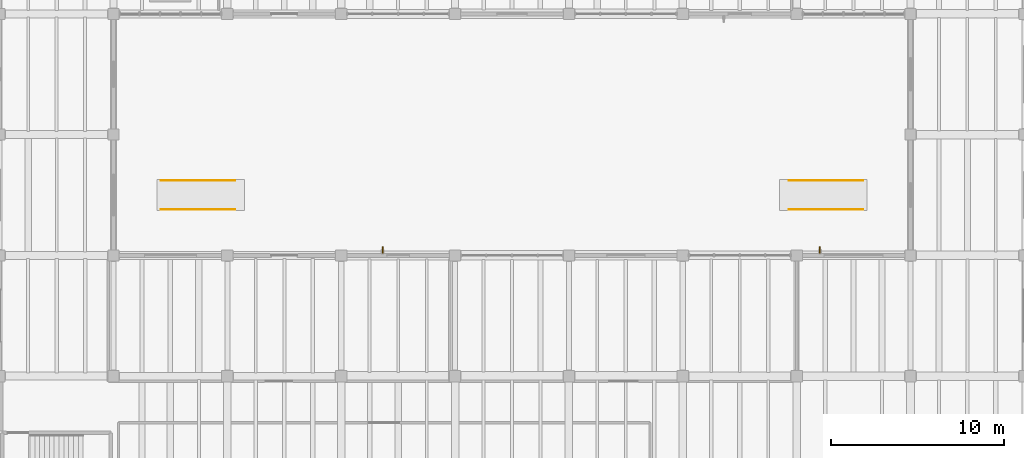
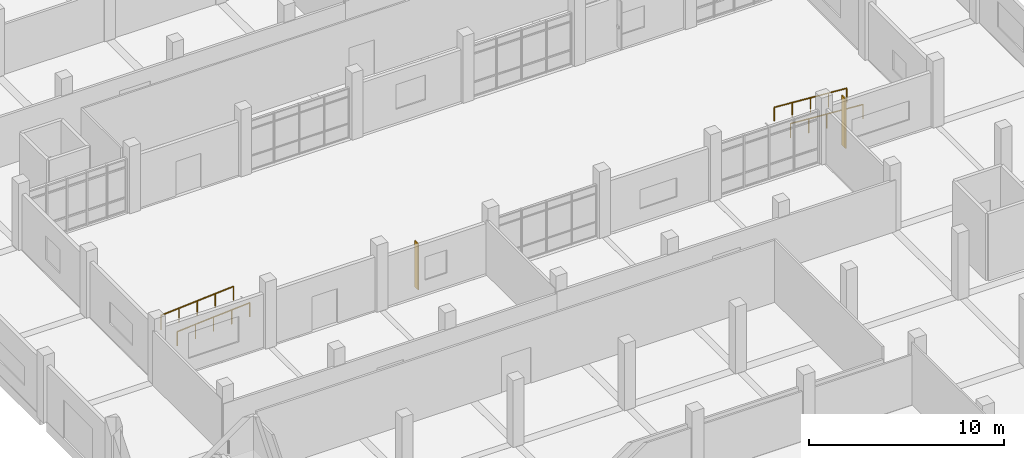
# One storey, part 63 of 69: 4 railings, 2 shading devices.
"""IFC4 building model written with IfcOpenShell, lengths in metres."""

import ifcopenshell
import ifcopenshell.guid

model = None  # the IFC model being written
_history = None  # IfcOwnerHistory: only IFC2X3 demands one
_inside = {}  # id of a spatial element -> (the spatial element, [elements in it])
_under = {}  # id of a project, library or spatial element -> (it, [spatial elements below it])
_declared = {}  # id of a project -> (the project, [libraries it declares])
_typed = {}  # id of a type object -> (the type object, [elements of that type])
_made_of = {}  # id of a material, layer set ... -> (it, [elements and type objects made of it])


def new_model(schema):
    """Start an empty IFC model of exactly this schema.

    Asked for "IFC4X3", IfcOpenShell would pick the latest addendum, in which some entities
    have other attributes; the version numbers below select the first issue.
    IFC2X3 requires an IfcOwnerHistory on every rooted entity: one is made here for all.
    """
    global model, _history
    if schema == "IFC4X3":
        model = ifcopenshell.file(schema_version=(4, 3, 0, 0))
    else:
        model = ifcopenshell.file(schema=schema)
    _inside.clear()
    _under.clear()
    _declared.clear()
    _typed.clear()
    _made_of.clear()
    _history = None
    if model.schema == "IFC2X3":
        org = make("IfcOrganization", Name="unknown")
        user = make(
            "IfcPersonAndOrganization",
            ThePerson=make("IfcPerson", FamilyName="unknown"),
            TheOrganization=org,
        )
        app = make(
            "IfcApplication",
            ApplicationDeveloper=org,
            Version="unknown",
            ApplicationFullName="unknown",
            ApplicationIdentifier="unknown",
        )
        _history = make(
            "IfcOwnerHistory",
            OwningUser=user,
            OwningApplication=app,
            ChangeAction="ADDED",
            CreationDate=0,
        )
    return model


def make(cls, **values):
    """One entity of the class cls with the attributes given. An attribute that is None is left unset."""
    return model.create_entity(
        cls, **{name: value for name, value in values.items() if value is not None}
    )


def rooted(cls, **values):
    """An entity with a GlobalId (a new one), such as an element, a storey or a relation."""
    return make(cls, GlobalId=ifcopenshell.guid.new(), OwnerHistory=_history, **values)


def si_unit(unit_type, name, prefix=None):
    """IfcSIUnit, for example si_unit("LENGTHUNIT", "METRE", prefix="MILLI")."""
    return make("IfcSIUnit", UnitType=unit_type, Prefix=prefix, Name=name)


def assignment(units):
    """IfcUnitAssignment: the units of a project."""
    return None if units is None else make("IfcUnitAssignment", Units=units)


def point(xyz):
    """IfcCartesianPoint."""
    return None if xyz is None else make("IfcCartesianPoint", Coordinates=xyz)


def direction(xyz):
    """IfcDirection."""
    return None if xyz is None else make("IfcDirection", DirectionRatios=xyz)


def frame(location, z_axis=None, x_axis=None):
    """IfcAxis2Placement3D, a coordinate frame: its origin and axes. An axis left out is left unset."""
    return make(
        "IfcAxis2Placement3D",
        Location=point(location),
        Axis=direction(z_axis),
        RefDirection=direction(x_axis),
    )


def frame_2d(location, x_axis=None):
    """IfcAxis2Placement2D, a coordinate frame in the plane: its origin and x axis."""
    return make(
        "IfcAxis2Placement2D", Location=point(location), RefDirection=direction(x_axis)
    )


def origin():
    """The frame at (0, 0, 0) with its axes left unset."""
    return frame((0.0, 0.0, 0.0))


def origin_2d():
    """The frame at (0, 0) in the plane with its x axis left unset."""
    return frame_2d((0.0, 0.0))


def place(relative_to, where):
    """IfcLocalPlacement: puts the frame where relative to a parent placement (None: the world)."""
    return make(
        "IfcLocalPlacement", PlacementRelTo=relative_to, RelativePlacement=where
    )


def context(
    kind, dimensions, precision=None, world=None, true_north=None, identifier=None
):
    """IfcGeometricRepresentationContext, for example the 3D "Model" context."""
    return make(
        "IfcGeometricRepresentationContext",
        ContextIdentifier=identifier,
        ContextType=kind,
        CoordinateSpaceDimension=dimensions,
        Precision=precision,
        WorldCoordinateSystem=world,
        TrueNorth=true_north,
    )


def subcontext(parent, identifier, kind, view, scale=None):
    """IfcGeometricRepresentationSubContext, for example "Body" below "Model"."""
    return make(
        "IfcGeometricRepresentationSubContext",
        ContextIdentifier=identifier,
        ContextType=kind,
        ParentContext=parent,
        TargetScale=scale,
        TargetView=view,
    )


def project(units=None, contexts=None):
    """IfcProject with its units and contexts."""
    return rooted(
        "IfcProject",
        Name="project",
        RepresentationContexts=contexts,
        UnitsInContext=assignment(units),
    )


def spatial(cls, under=None, at=None, **own):
    """A site, building, storey or space (cls), placed at a placement, below another one or the project."""
    s = rooted(cls, ObjectPlacement=at, **own)
    if under is not None:
        _under.setdefault(under.id(), (under, []))[1].append(s)
    return s


def profile(cls, at=None, kind="AREA", **sizes):
    """A parametric profile (cls). Its sizes go by their IFC names, for example OverallWidth=200.0."""
    return make(cls, ProfileType=kind, Position=at, **sizes)


def rectangle(**sizes):
    """IfcRectangleProfileDef."""
    return profile("IfcRectangleProfileDef", **sizes)


def circle(**sizes):
    """IfcCircleProfileDef."""
    return profile("IfcCircleProfileDef", **sizes)


def extrude(swept, where, along, depth):
    """IfcExtrudedAreaSolid: the profile swept, set in the frame where, extruded along a direction by depth."""
    return make(
        "IfcExtrudedAreaSolid",
        SweptArea=swept,
        Position=where,
        ExtrudedDirection=direction(along),
        Depth=depth,
    )


def shape(context_of_items, identifier, shape_type, items):
    """IfcShapeRepresentation: the items that make up one representation, for example the "Body"."""
    return make(
        "IfcShapeRepresentation",
        ContextOfItems=context_of_items,
        RepresentationIdentifier=identifier,
        RepresentationType=shape_type,
        Items=items,
    )


def material(Name=None, Category=None):
    """IfcMaterial."""
    return make("IfcMaterial", Name=Name, Category=Category)


def material_profile(
    of_material, cross_section, Name=None, Category=None, Priority=None
):
    """IfcMaterialProfile: a cross section and its material."""
    return make(
        "IfcMaterialProfile",
        Name=Name,
        Material=of_material,
        Profile=cross_section,
        Priority=Priority,
        Category=Category,
    )


def profile_set(profiles, Name=None, composite=None):
    """IfcMaterialProfileSet."""
    return make(
        "IfcMaterialProfileSet",
        Name=Name,
        MaterialProfiles=profiles,
        CompositeProfile=composite,
    )


def made_of(thing, what):
    """Note that an element or type object is made of a material, layer set ...; save() writes the relation."""
    if what is not None:
        _made_of.setdefault(what.id(), (what, []))[1].append(thing)
    return thing


def type_object(cls, material=None, **own):
    """A type object (cls), such as IfcWallType, which elements share."""
    return made_of(rooted(cls, **own), material)


def element(
    cls,
    number,
    at=None,
    inside=None,
    cuts=None,
    type_object=None,
    material=None,
    context=None,
    identifier="Body",
    shape_type=None,
    held_by="IfcProductDefinitionShape",
    body=None,
    shapes=None,
    **own,
):
    """One element of the class cls, such as IfcWall. Its Tag is "e" and its number.

    at: its placement. inside: the storey or other place that contains it. cuts: it is an
    opening in that element (IfcRelVoidsElement). A single representation is given by context,
    identifier, shape_type and body (its items); several are given by shapes. held_by: the class
    of the entity that holds the representations. save() writes the other relations.
    """
    e = rooted(cls, Tag="e%d" % number, ObjectPlacement=at, **own)
    if body is not None:
        shapes = [shape(context, identifier, shape_type, body)]
    if shapes is not None:
        e.Representation = make(held_by, Representations=shapes)
    if inside is not None:
        _inside.setdefault(inside.id(), (inside, []))[1].append(e)
    if cuts is not None:
        rooted(
            "IfcRelVoidsElement", RelatingBuildingElement=cuts, RelatedOpeningElement=e
        )
    if type_object is not None:
        _typed.setdefault(type_object.id(), (type_object, []))[1].append(e)
    return made_of(e, material)


def aggregate(whole, parts):
    """IfcRelAggregates: a whole, such as a stair, and the parts it consists of."""
    return rooted("IfcRelAggregates", RelatingObject=whole, RelatedObjects=parts)


def save(model, path):
    """Write the relations noted so far, then the file.

    IfcRelAggregates (storeys below a building ...), IfcRelContainedInSpatialStructure (elements
    in a storey), IfcRelDefinesByType, IfcRelAssociatesMaterial and IfcRelDeclares: one each for
    every whole, place, type object, material and project.
    """
    for whole, parts in _under.values():
        aggregate(whole, parts)
    for where, things in _inside.values():
        rooted(
            "IfcRelContainedInSpatialStructure",
            RelatedElements=things,
            RelatingStructure=where,
        )
    for kind, things in _typed.values():
        rooted("IfcRelDefinesByType", RelatedObjects=things, RelatingType=kind)
    for what, things in _made_of.values():
        rooted("IfcRelAssociatesMaterial", RelatedObjects=things, RelatingMaterial=what)
    for by, libraries in _declared.values():
        rooted("IfcRelDeclares", RelatingContext=by, RelatedDefinitions=libraries)
    model.write(path)


model = new_model("IFC4")

# Units and contexts
model_context = context("Model", 3, precision=1e-05, world=origin(), true_north=direction((0.0, 1.0)))
body_context = subcontext(model_context, "Body", "Model", "MODEL_VIEW")
ifc_project = project(units=[si_unit("LENGTHUNIT", "METRE"), si_unit("AREAUNIT", "SQUARE_METRE"), si_unit("VOLUMEUNIT", "CUBIC_METRE"), si_unit("PLANEANGLEUNIT", "RADIAN"), si_unit("MASSUNIT", "GRAM", prefix="KILO")], contexts=[model_context])

# Site, building, storey
site_placement = place(None, origin())
site = spatial("IfcSite", under=ifc_project, at=site_placement, CompositionType="ELEMENT")
building_placement = place(site_placement, origin())
building = spatial("IfcBuilding", under=site, at=building_placement, Name="Ciguamira Faculty of Natural Sciences", CompositionType="ELEMENT")
storey_placement = place(building_placement, origin())
storey = spatial("IfcBuildingStorey", under=building, at=storey_placement, Name="L00", CompositionType="ELEMENT", Elevation=0.0)

# Railings
ifc_material_1 = material(Name="Stainless steel handrail", Category="steel")
railing_type = type_object("IfcRailingType", Name="Handrail_HR01", PredefinedType="HANDRAIL", material=ifc_material_1)
for number, where, name in (
    (1, (66.64990234375, 61.659912109375, -0.340087890625), "Karst Court West Accessible Ramp handrail 1"),
    (2, (66.64990234375, 63.340087890625, -0.340087890625), "Karst Court West Accessible Ramp handrail 2"),
):
    element("IfcRailing", number, at=place(storey_placement, frame(where)), inside=storey, type_object=railing_type, Name=name, PredefinedType="HANDRAIL", context=body_context, shape_type="SweptSolid", body=[
        extrude(circle(Radius=0.02392578125, at=origin_2d()), frame((0.0, 0.0, 0.8759765625), z_axis=(0.997442864568, 0.0, 0.071468398063), x_axis=(0.0, 1.0, 0.0)), (0.0, 0.0, 1.0), 4.31103515625),
        extrude(circle(Radius=0.02099609375, at=origin_2d()), origin(), (0.0, 0.0, 1.0), 0.851806640625),
        extrude(circle(Radius=0.02099609375, at=origin_2d()), frame((1.074951171875, 0.0, 0.0771484375)), (0.0, 0.0, 1.0), 0.851806640625),
        extrude(circle(Radius=0.02099609375, at=origin_2d()), frame((2.14990234375, 0.0, 0.154052734375)), (0.0, 0.0, 1.0), 0.851806640625),
        extrude(circle(Radius=0.02099609375, at=origin_2d()), frame((3.22509765625, 0.0, 0.23095703125)), (0.0, 0.0, 1.0), 0.851806640625),
        extrude(circle(Radius=0.02099609375, at=origin_2d()), frame((4.300048828125, 0.0, 0.30810546875)), (0.0, 0.0, 1.0), 0.851806640625),
    ])
for number, where, name in (
    (3, (107.35009765625, 63.340087890625, -0.340087890625), "Karst Court East Accessible Ramp handrail 1"),
    (4, (107.35009765625, 61.659912109375, -0.340087890625), "Karst Court East Accessible Ramp handrail 2"),
):
    element("IfcRailing", number, at=place(storey_placement, frame(where)), inside=storey, type_object=railing_type, Name=name, PredefinedType="HANDRAIL", context=body_context, shape_type="SweptSolid", body=[
        extrude(circle(Radius=0.02392578125, at=origin_2d()), frame((0.0, 0.0, 0.8759765625), z_axis=(-0.997442864568, 0.0, 0.071468398063), x_axis=(0.0, -1.0, 0.0)), (0.0, 0.0, 1.0), 4.31103515625),
        extrude(circle(Radius=0.02099609375, at=origin_2d()), origin(), (0.0, 0.0, 1.0), 0.851806640625),
        extrude(circle(Radius=0.02099609375, at=origin_2d()), frame((-1.074951171875, 0.0, 0.0771484375)), (0.0, 0.0, 1.0), 0.851806640625),
        extrude(circle(Radius=0.02099609375, at=origin_2d()), frame((-2.14990234375, 0.0, 0.154052734375)), (0.0, 0.0, 1.0), 0.851806640625),
        extrude(circle(Radius=0.02099609375, at=origin_2d()), frame((-3.22509765625, 0.0, 0.23095703125)), (0.0, 0.0, 1.0), 0.851806640625),
        extrude(circle(Radius=0.02099609375, at=origin_2d()), frame((-4.300048828125, 0.0, 0.30810546875)), (0.0, 0.0, 1.0), 0.851806640625),
    ])

# Shading devices
ifc_material_2 = material(Name="Anodized bronze sunshade fin")
ifc_material_profile = material_profile(ifc_material_2, rectangle(XDim=0.06494140625, YDim=0.3798828125, at=origin_2d()), Name="BRZ-FIN-65X380")
ifc_profile_set = profile_set([ifc_material_profile], Name="Anodized bronze sunshade fin")
shading_device_type = type_object("IfcShadingDeviceType", Name="SunFin_SF01", PredefinedType="USERDEFINED", material=ifc_profile_set)
shading_device_1_placement = place(storey_placement, frame((79.5, 59.300048828125, 0.199951171875), z_axis=(0.0, 0.0, 1.0), x_axis=(1.0, 0.0, 0.0)))
element("IfcShadingDevice", 5, at=shading_device_1_placement, inside=storey, type_object=shading_device_type, Name="L00 bronze vertical sunshade fin 0005", ObjectType="SUNSHADE FIN", PredefinedType="USERDEFINED", context=body_context, shape_type="SweptSolid", body=[
    extrude(rectangle(XDim=0.06494140625, YDim=0.3798828125, at=origin_2d()), origin(), (0.0, 0.0, 1.0), 2.885009765625),
])
shading_device_2_placement = place(storey_placement, frame((104.85009765625, 59.300048828125, 0.199951171875), z_axis=(0.0, 0.0, 1.0), x_axis=(1.0, 0.0, 0.0)))
element("IfcShadingDevice", 6, at=shading_device_2_placement, inside=storey, type_object=shading_device_type, Name="L00 bronze vertical sunshade fin 0006", ObjectType="SUNSHADE FIN", PredefinedType="USERDEFINED", context=body_context, shape_type="SweptSolid", body=[
    extrude(rectangle(XDim=0.06494140625, YDim=0.3798828125, at=origin_2d()), origin(), (0.0, 0.0, 1.0), 3.114990234375),
])

save(model, "model.ifc")
